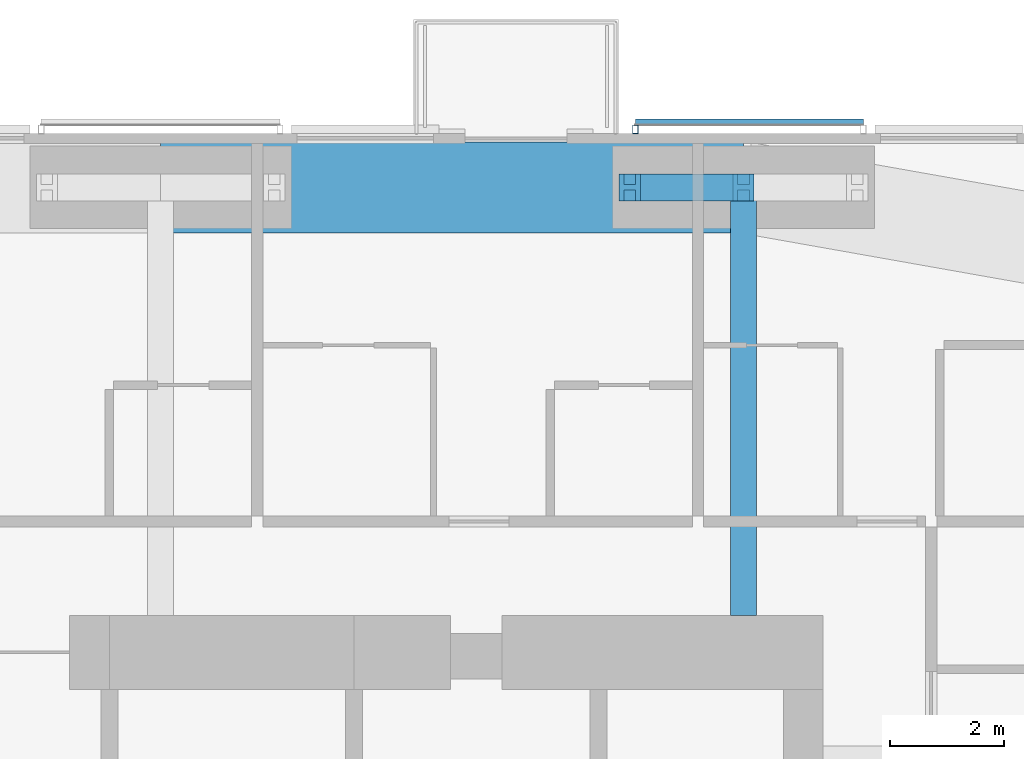
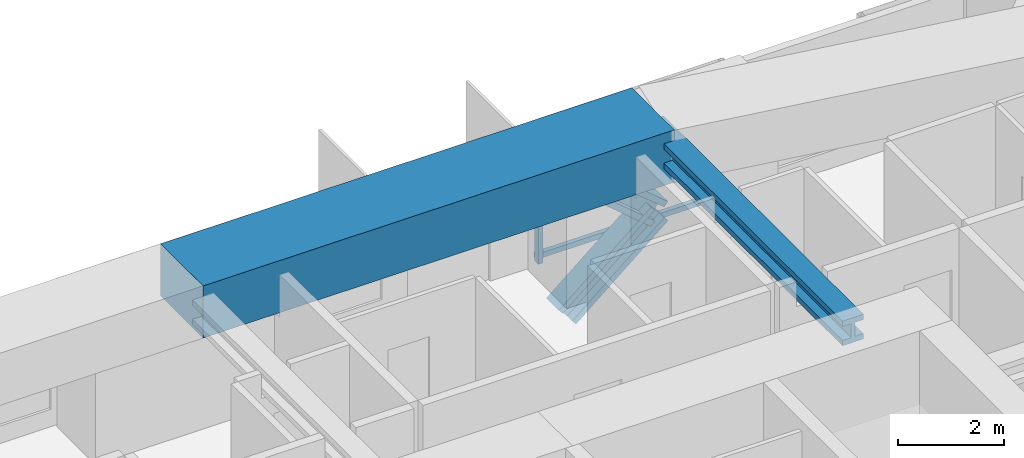
# One storey, part 12 of 22: 4 members, 2 beams, 1 element without a shape of its own.
"""IFC4 building model written with IfcOpenShell, lengths in metres."""

from ifc_helpers import new_model, si_unit, direction, frame, origin, origin_2d, place, context, subcontext, project, spatial, rectangle, hollow_rectangle, i_section, extrude, material, material_profile, profile_set, type_object, element, aggregate, save


model = new_model("IFC4")

# Units and contexts
model_context = context("Model", 3, precision=1e-05, world=origin(), true_north=direction((0.0, 1.0)))
body_context = subcontext(model_context, "Body", "Model", "MODEL_VIEW")
ifc_project = project(units=[si_unit("LENGTHUNIT", "METRE"), si_unit("AREAUNIT", "SQUARE_METRE"), si_unit("VOLUMEUNIT", "CUBIC_METRE"), si_unit("PLANEANGLEUNIT", "RADIAN"), si_unit("MASSUNIT", "GRAM", prefix="KILO")], contexts=[model_context])

# Site, building, storey
site_placement = place(None, origin())
site = spatial("IfcSite", under=ifc_project, at=site_placement, CompositionType="ELEMENT")
building_placement = place(site_placement, origin())
building = spatial("IfcBuilding", under=site, at=building_placement, Name="Jalousie Tower", CompositionType="ELEMENT")
storey_placement = place(building_placement, frame((0.0, 0.0, 161.050048828125)))
storey = spatial("IfcBuildingStorey", under=building, at=storey_placement, Name="L43", CompositionType="ELEMENT", Elevation=161.050048828125)

# Beam
ifc_material_1 = material(Name="Steel ASTM A992 Grade 50", Category="steel")
ifc_material_profile_1 = material_profile(ifc_material_1, i_section(OverallWidth=0.45458984375, OverallDepth=0.569091796875, WebThickness=0.077880859375, FlangeThickness=0.124755859375, at=origin_2d()), Name="W14X730")
ifc_profile_set_1 = profile_set([ifc_material_profile_1], Name="Steel ASTM A992 Grade 50")
beam_type_1 = type_object("IfcBeamType", Name="LEAN COLLECTOR W14X730", PredefinedType="BEAM", material=ifc_profile_set_1)
beam_1_placement = place(storey_placement, frame((42.75, 35.050048828125, 2.825439453125), z_axis=(0.0, -1.0, 0.0), x_axis=(1.0, 0.0, 0.0)))
element("IfcBeam", 1, at=beam_1_placement, inside=storey, type_object=beam_type_1, Name="Lean collector under L44", PredefinedType="BEAM", context=body_context, shape_type="SweptSolid", body=[
    extrude(i_section(OverallWidth=0.45458984375, OverallDepth=0.569091796875, WebThickness=0.077880859375, FlangeThickness=0.124755859375, at=origin_2d()), origin(), (0.0, 0.0, 1.0), 7.525146484375),
])

# Members
ifc_material_2 = material(Name="Steel ASTM A992 Grade 50", Category="steel")
ifc_material_profile_2 = material_profile(ifc_material_2, i_section(OverallWidth=0.472412109375, OverallDepth=0.5791015625, WebThickness=0.094970703125, FlangeThickness=0.1298828125, at=origin_2d()), Name="W14X808")
ifc_profile_set_2 = profile_set([ifc_material_profile_2], Name="Steel ASTM A992 Grade 50")
member_type_1 = type_object("IfcMemberType", Name="PERIMETER BRACE W14X808", PredefinedType="BRACE", material=ifc_profile_set_2)
for number, where, z_axis, x_axis, name in (
    (2, (40.75, 35.050048828125, -0.60009765625), (0.766638753323, 0.0, 0.642078672674), (0.0, 1.0, 0.0), "Perimeter brace 09 L43 part 1"),
    (3, (42.75, 35.050048828125, 1.074951171875), (-0.766638753323, 0.0, 0.642078672674), (0.0, -1.0, 0.0), "Perimeter brace 09 L43 part 4"),
):
    element("IfcMember", number, at=place(storey_placement, frame(where, z_axis=z_axis, x_axis=x_axis)), inside=storey, type_object=member_type_1, Name=name, PredefinedType="BRACE", context=body_context, shape_type="SweptSolid", body=[
        extrude(i_section(OverallWidth=0.472412109375, OverallDepth=0.5791015625, WebThickness=0.094970703125, FlangeThickness=0.1298828125, at=origin_2d()), origin(), (0.0, 0.0, 1.0), 2.60888671875),
    ])

# Beam
ifc_material_3 = material(Name="Concrete f'c 40 MPa", Category="concrete")
ifc_material_profile_3 = material_profile(ifc_material_3, rectangle(XDim=1.60009765625, YDim=1.199951171875, at=origin_2d()), Name="RC 1600x1200")
ifc_profile_set_3 = profile_set([ifc_material_profile_3], Name="Concrete f'c 40 MPa")
beam_type_2 = type_object("IfcBeamType", Name="RC BEAM 1600x1200", PredefinedType="BEAM", material=ifc_profile_set_3)
beam_2_placement = place(storey_placement, frame((42.75, 35.050048828125, 2.75), z_axis=(-1.0, 0.0, 0.0), x_axis=(0.0, -1.0, 0.0)))
element("IfcBeam", 4, at=beam_2_placement, inside=storey, type_object=beam_type_2, Name="Edge band beam 09-10 under L44", PredefinedType="BEAM", context=body_context, shape_type="SweptSolid", body=[
    extrude(rectangle(XDim=1.60009765625, YDim=1.199951171875, at=origin_2d()), origin(), (0.0, 0.0, 1.0), 10.25),
])

# Curtain wall, members
ifc_material_4 = material(Name="Perforated aluminium sheet", Category="aluminium")
curtain_wall_type = type_object("IfcCurtainWallType", Name="SOLAR SCREEN SS-1", PredefinedType="USERDEFINED", material=ifc_material_4)
curtain_wall_placement = place(storey_placement, origin())
curtain_wall = element("IfcCurtainWall", 5, at=curtain_wall_placement, inside=storey, type_object=curtain_wall_type, Name="Solar screen L43", ObjectType="SOLAR SCREEN SS-1", PredefinedType="USERDEFINED")
ifc_material_5 = material(Name="Steel ASTM A500 Grade C", Category="steel")
ifc_material_profile_4 = material_profile(ifc_material_5, hollow_rectangle(XDim=0.1015625, YDim=0.15234375, WallThickness=0.00634765625, at=origin_2d()), Name="HSS6X4X1/4")
ifc_profile_set_4 = profile_set([ifc_material_profile_4], Name="Steel ASTM A500 Grade C")
member_type_2 = type_object("IfcMemberType", Name="SOLAR SCREEN SS-1 MULLION", PredefinedType="MULLION", material=ifc_profile_set_4)
member_1_placement = place(storey_placement, frame((40.85009765625, 36.0712890625, -0.1201171875), z_axis=(0.0, 0.0, 1.0), x_axis=(-1.0, 0.0, 0.0)))
member_1 = element("IfcMember", 6, at=member_1_placement, type_object=member_type_2, Name="SS1 post 2", PredefinedType="MULLION", context=body_context, shape_type="SweptSolid", body=[
    extrude(hollow_rectangle(XDim=0.1015625, YDim=0.15234375, WallThickness=0.00634765625, at=origin_2d()), origin(), (0.0, 0.0, 1.0), 3.22998046875),
])
ifc_material_6 = material(Name="Extruded aluminium screen rail", Category="aluminium")
ifc_material_profile_5 = material_profile(ifc_material_6, rectangle(XDim=0.1015625, YDim=0.1201171875, at=origin_2d()), Name="RAIL 102x120")
ifc_profile_set_5 = profile_set([ifc_material_profile_5], Name="Extruded aluminium screen rail")
member_type_3 = type_object("IfcMemberType", Name="SOLAR SCREEN SS-1 TRANSOM", PredefinedType="USERDEFINED", material=ifc_profile_set_5)
member_2_placement = place(storey_placement, frame((44.859130859375, 36.1982421875, -0.06005859375), z_axis=(-1.0, 0.0, 0.0), x_axis=(0.0, -1.0, 0.0)))
member_2 = element("IfcMember", 7, at=member_2_placement, type_object=member_type_3, Name="SS1 rail", ObjectType="TRANSOM", PredefinedType="USERDEFINED", context=body_context, shape_type="SweptSolid", body=[
    extrude(rectangle(XDim=0.1015625, YDim=0.1201171875, at=origin_2d()), origin(), (0.0, 0.0, 1.0), 4.009033203125),
])
aggregate(curtain_wall, [member_1, member_2])

save(model, "model.ifc")
